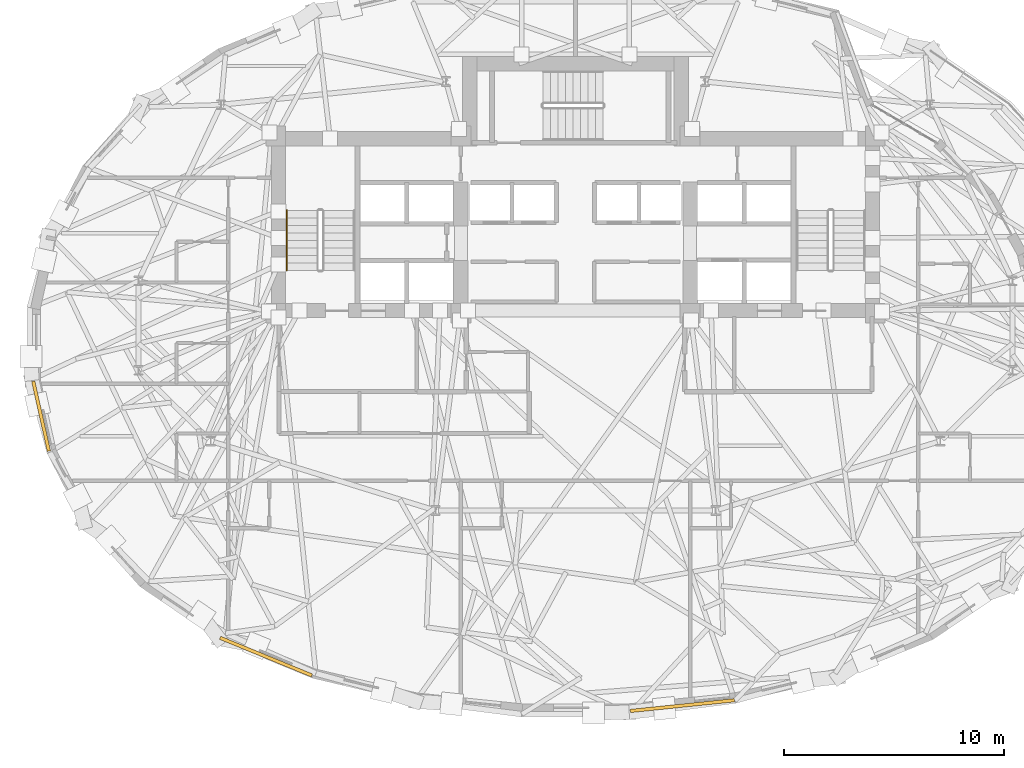
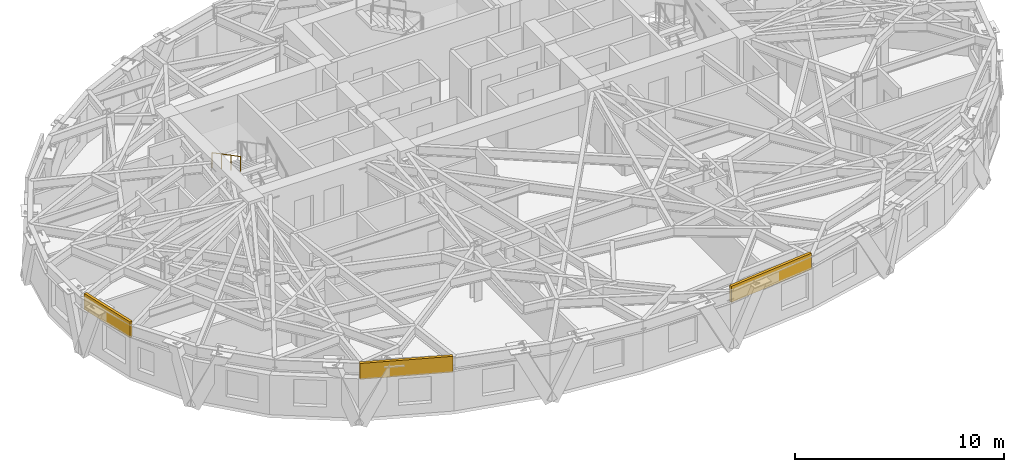
# One storey, part 12 of 15: 3 coverings, 1 railing.
"""IFC4 building model written with IfcOpenShell, lengths in metres."""

from ifc_helpers import new_model, si_unit, direction, frame, origin, origin_2d, place, context, subcontext, project, spatial, rectangle, circle, extrude, material, layer, layer_set, type_object, element, save


model = new_model("IFC4")

# Units and contexts
model_context = context("Model", 3, precision=1e-05, world=origin(), true_north=direction((0.0, 1.0)))
body_context = subcontext(model_context, "Body", "Model", "MODEL_VIEW")
ifc_project = project(units=[si_unit("LENGTHUNIT", "METRE"), si_unit("AREAUNIT", "SQUARE_METRE"), si_unit("VOLUMEUNIT", "CUBIC_METRE"), si_unit("PLANEANGLEUNIT", "RADIAN"), si_unit("MASSUNIT", "GRAM", prefix="KILO")], contexts=[model_context])

# Site, building, storey
site_placement = place(None, origin())
site = spatial("IfcSite", under=ifc_project, at=site_placement, CompositionType="ELEMENT")
building_placement = place(site_placement, origin())
building = spatial("IfcBuilding", under=site, at=building_placement, Name="Keldmark Tower", CompositionType="ELEMENT")
storey_placement = place(building_placement, frame((0.0, 0.0, 156.60009765625)))
storey = spatial("IfcBuildingStorey", under=building, at=storey_placement, Name="L42", CompositionType="ELEMENT", Elevation=156.60009765625)

# Coverings
ifc_material_1 = material(Name="Honed Kasota Buff Dolomitic Limestone", Category="masonry")
ifc_layer = layer(ifc_material_1, 0.074951171875)
ifc_layer_set = layer_set([ifc_layer], Name="Honed Kasota Buff Dolomitic Limestone")
covering_type = type_object("IfcCoveringType", Name="Kasota Buff Limestone Spandrel Cladding Band", PredefinedType="CLADDING", material=ifc_layer_set)
covering_1_placement = place(storey_placement, frame((-24.245361328125, -3.26708984375, 2.239013671875), z_axis=(0.0, 0.0, 1.0), x_axis=(0.219062924255, -0.975710733372, 0.0)))
element("IfcCovering", 1, at=covering_1_placement, inside=storey, type_object=covering_type, Name="L42 Kasota Limestone Spandrel Band 17", PredefinedType="CLADDING", context=body_context, shape_type="SweptSolid", body=[
    extrude(rectangle(XDim=3.242919921875, YDim=0.14990234375, at=origin_2d()), origin(), (0.0, 0.0, 1.0), 0.94091796875),
])
covering_2_placement = place(storey_placement, frame((-14.043701171875, -14.174560546875, 2.239013671875), z_axis=(0.0, 0.0, 1.0), x_axis=(0.925050690998, -0.379843677169, 0.0)))
element("IfcCovering", 2, at=covering_2_placement, inside=storey, type_object=covering_type, Name="L42 Kasota Limestone Spandrel Band 21", PredefinedType="CLADDING", context=body_context, shape_type="SweptSolid", body=[
    extrude(rectangle(XDim=4.499267578125, YDim=0.14990234375, at=origin_2d()), origin(), (0.0, 0.0, 1.0), 0.94091796875),
])
covering_3_placement = place(storey_placement, frame((4.843994140625, -16.398193359375, 2.239013671875), z_axis=(0.0, 0.0, 1.0), x_axis=(0.994720742649, 0.10261892683, 0.0)))
element("IfcCovering", 3, at=covering_3_placement, inside=storey, type_object=covering_type, Name="L42 Kasota Limestone Spandrel Band 25", PredefinedType="CLADDING", context=body_context, shape_type="SweptSolid", body=[
    extrude(rectangle(XDim=4.74658203125, YDim=0.14990234375, at=origin_2d()), origin(), (0.0, 0.0, 1.0), 0.94091796875),
])

# Railing
ifc_material_2 = material(Name="Stainless Steel AISI 316L", Category="steel")
railing_type = type_object("IfcRailingType", Name="Stainless Steel Stair Handrail 900 mm", PredefinedType="HANDRAIL", material=ifc_material_2)
railing_placement = place(storey_placement, frame((-13.10009765625, 6.070068359375, 1.777587890625)))
element("IfcRailing", 4, at=railing_placement, inside=storey, type_object=railing_type, Name="L42 ST1 stair handrail 2", PredefinedType="HANDRAIL", context=body_context, shape_type="SweptSolid", body=[
    extrude(circle(Radius=0.02392578125, at=origin_2d()), frame((0.0, 0.0, 0.8759765625), z_axis=(0.0, -0.886150474775, 0.463397600399), x_axis=(1.0, 0.0, 0.0)), (0.0, 0.0, 1.0), 3.0693359375),
    extrude(circle(Radius=0.02099609375, at=origin_2d()), origin(), (0.0, 0.0, 1.0), 0.851806640625),
    extrude(circle(Radius=0.02099609375, at=origin_2d()), frame((0.0, -0.90673828125, 0.47412109375)), (0.0, 0.0, 1.0), 0.851806640625),
    extrude(circle(Radius=0.02099609375, at=origin_2d()), frame((0.0, -1.813232421875, 0.9482421875)), (0.0, 0.0, 1.0), 0.851806640625),
    extrude(circle(Radius=0.02099609375, at=origin_2d()), frame((0.0, -2.719970703125, 1.42236328125)), (0.0, 0.0, 1.0), 0.851806640625),
])

save(model, "model.ifc")
